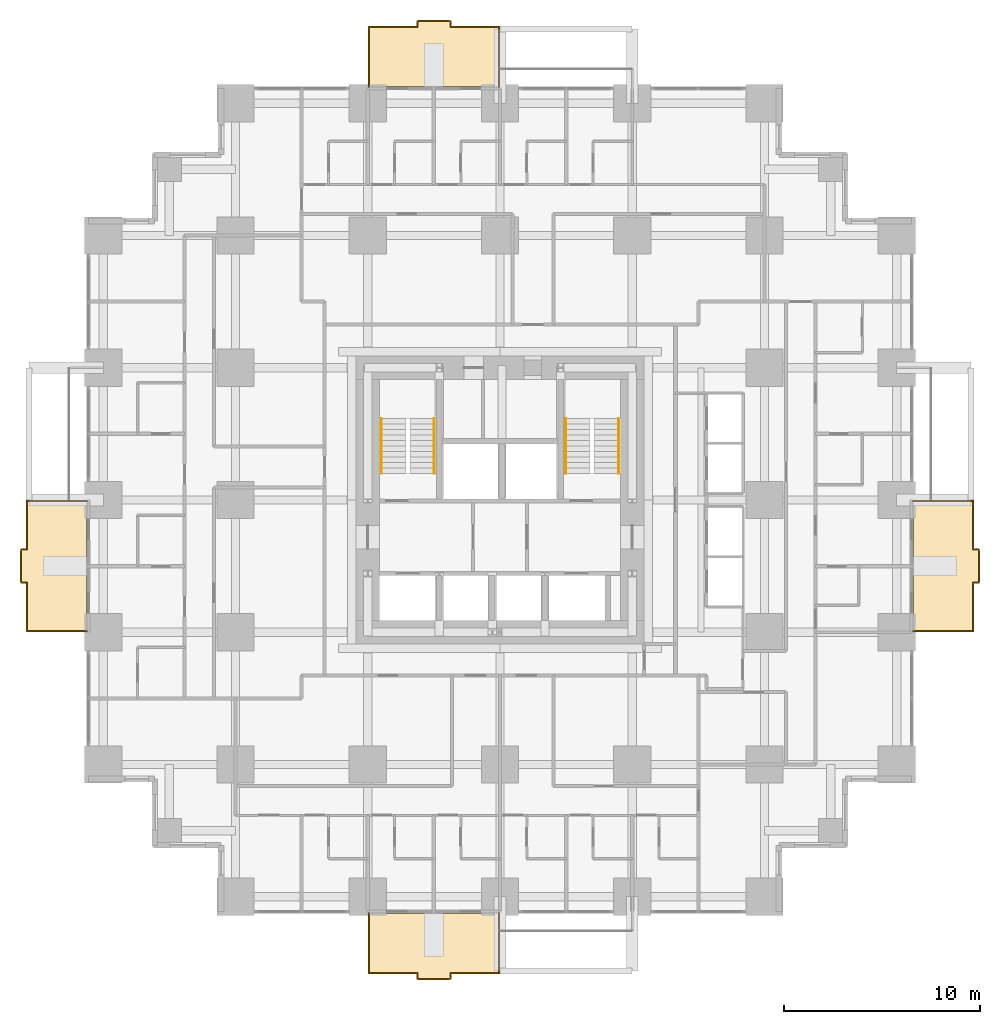
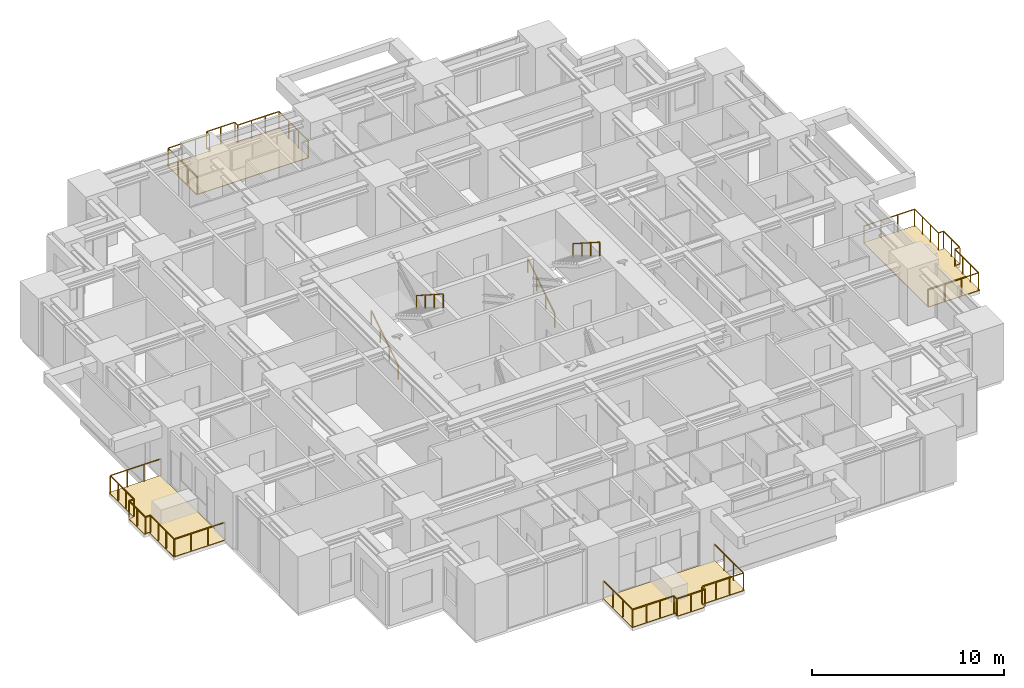
# One storey, part 14 of 14: 8 railings, 4 coverings.
"""IFC4 building model written with IfcOpenShell, lengths in metres."""

from ifc_helpers import new_model, si_unit, direction, frame, origin, origin_2d, place, context, subcontext, project, spatial, polyline, rectangle, outline, extrude, material, layer, layer_set, type_object, element, save


model = new_model("IFC4")

# Units and contexts
model_context = context("Model", 3, precision=1e-05, world=origin(), true_north=direction((0.0, 1.0)))
body_context = subcontext(model_context, "Body", "Model", "MODEL_VIEW")
ifc_project = project(units=[si_unit("LENGTHUNIT", "METRE"), si_unit("AREAUNIT", "SQUARE_METRE"), si_unit("VOLUMEUNIT", "CUBIC_METRE"), si_unit("PLANEANGLEUNIT", "RADIAN"), si_unit("MASSUNIT", "GRAM", prefix="KILO")], contexts=[model_context])

# Site, building, storey
site_placement = place(None, origin())
site = spatial("IfcSite", under=ifc_project, at=site_placement, CompositionType="ELEMENT")
building_placement = place(site_placement, origin())
building = spatial("IfcBuilding", under=site, at=building_placement, Name="Nyansa Garden Tower", CompositionType="ELEMENT")
storey_placement = place(building_placement, frame((0.0, 0.0, 39.60009765625)))
storey = spatial("IfcBuildingStorey", under=building, at=storey_placement, Name="L10", CompositionType="ELEMENT", Elevation=39.60009765625)

# Coverings
ifc_material_1 = material(Name="Hardwood decking on pedestals", Category="wood")
ifc_layer = layer(ifc_material_1, 0.0400390625)
ifc_layer_set = layer_set([ifc_layer], Name="Balcony decking DK40")
covering_type = type_object("IfcCoveringType", Name="Balcony decking DK40", PredefinedType="FLOORING", material=ifc_layer_set)
covering_1_placement = place(storey_placement, frame((0.0, 0.0, -0.0400390625)))
element("IfcCovering", 1, at=covering_1_placement, inside=storey, type_object=covering_type, Name="Balcony decking L10", PredefinedType="FLOORING", context=body_context, shape_type="SweptSolid", body=[
    extrude(outline(polyline([(13.5, -0.85009765625), (20.25, -0.85009765625), (20.25, -3.949951171875), (17.675048828125, -3.949951171875), (17.675048828125, -4.25), (16.074951171875, -4.25), (16.074951171875, -3.949951171875), (13.5, -3.949951171875), (13.5, -0.85009765625)])), origin(), (0.0, 0.0, 1.0), 0.0400390625),
])
covering_2_placement = place(storey_placement, frame((0.0, 0.0, -0.0400390625)))
element("IfcCovering", 2, at=covering_2_placement, inside=storey, type_object=covering_type, Name="Balcony decking L10", PredefinedType="FLOORING", context=body_context, shape_type="SweptSolid", body=[
    extrude(outline(polyline([(41.35009765625, 13.5), (41.35009765625, 20.25), (44.449951171875, 20.25), (44.449951171875, 17.675048828125), (44.75, 17.675048828125), (44.75, 16.074951171875), (44.449951171875, 16.074951171875), (44.449951171875, 13.5), (41.35009765625, 13.5)])), origin(), (0.0, 0.0, 1.0), 0.0400390625),
])
covering_3_placement = place(storey_placement, frame((0.0, 0.0, -0.0400390625)))
element("IfcCovering", 3, at=covering_3_placement, inside=storey, type_object=covering_type, Name="Balcony decking L10", PredefinedType="FLOORING", context=body_context, shape_type="SweptSolid", body=[
    extrude(outline(polyline([(13.5, 41.35009765625), (20.25, 41.35009765625), (20.25, 44.449951171875), (17.675048828125, 44.449951171875), (17.675048828125, 44.75), (16.074951171875, 44.75), (16.074951171875, 44.449951171875), (13.5, 44.449951171875), (13.5, 41.35009765625)])), origin(), (0.0, 0.0, 1.0), 0.0400390625),
])
covering_4_placement = place(storey_placement, frame((0.0, 0.0, -0.0400390625)))
element("IfcCovering", 4, at=covering_4_placement, inside=storey, type_object=covering_type, Name="Balcony decking L10", PredefinedType="FLOORING", context=body_context, shape_type="SweptSolid", body=[
    extrude(outline(polyline([(-0.85009765625, 13.5), (-0.85009765625, 20.25), (-3.949951171875, 20.25), (-3.949951171875, 17.675048828125), (-4.25, 17.675048828125), (-4.25, 16.074951171875), (-3.949951171875, 16.074951171875), (-3.949951171875, 13.5), (-0.85009765625, 13.5)])), origin(), (0.0, 0.0, 1.0), 0.0400390625),
])

# Railings
ifc_material_2 = material(Name="Black powder-coated steel balusters, laminated glass infill", Category="steel")
railing_type_1 = type_object("IfcRailingType", Name="Balcony guard G1", PredefinedType="GUARDRAIL", material=ifc_material_2)
railing_1_placement = place(storey_placement, frame((13.550048828125, -0.85009765625, 0.0)))
element("IfcRailing", 5, at=railing_1_placement, inside=storey, type_object=railing_type_1, Name="Balcony guard L10", PredefinedType="GUARDRAIL", context=body_context, shape_type="SweptSolid", body=[
    extrude(rectangle(XDim=0.048095703125, YDim=0.048095703125, at=origin_2d()), frame((0.0, 0.0, 1.076171875), z_axis=(0.0, -1.0, 0.0), x_axis=(1.0, 0.0, 0.0)), (0.0, 0.0, 1.0), 3.0498046875),
    extrude(rectangle(XDim=0.048095703125, YDim=0.048095703125, at=origin_2d()), frame((0.0, -3.0498046875, 1.076171875), z_axis=(1.0, 0.0, 0.0), x_axis=(0.0, 1.0, 0.0)), (0.0, 0.0, 1.0), 2.474853515625),
    extrude(rectangle(XDim=0.048095703125, YDim=0.048095703125, at=origin_2d()), frame((2.474853515625, -3.0498046875, 1.076171875), z_axis=(0.0, -1.0, 0.0), x_axis=(1.0, 0.0, 0.0)), (0.0, 0.0, 1.0), 0.300048828125),
    extrude(rectangle(XDim=0.048095703125, YDim=0.048095703125, at=origin_2d()), frame((2.474853515625, -3.349853515625, 1.076171875), z_axis=(1.0, 0.0, 0.0), x_axis=(0.0, 1.0, 0.0)), (0.0, 0.0, 1.0), 1.7001953125),
    extrude(rectangle(XDim=0.048095703125, YDim=0.048095703125, at=origin_2d()), frame((4.175048828125, -3.349853515625, 1.076171875), z_axis=(0.0, 1.0, 0.0), x_axis=(-1.0, 0.0, 0.0)), (0.0, 0.0, 1.0), 0.300048828125),
    extrude(rectangle(XDim=0.048095703125, YDim=0.048095703125, at=origin_2d()), frame((4.175048828125, -3.0498046875, 1.076171875), z_axis=(1.0, 0.0, 0.0), x_axis=(0.0, 1.0, 0.0)), (0.0, 0.0, 1.0), 2.474853515625),
    extrude(rectangle(XDim=0.048095703125, YDim=0.048095703125, at=origin_2d()), frame((6.64990234375, -3.0498046875, 1.076171875), z_axis=(0.0, 1.0, 0.0), x_axis=(-1.0, 0.0, 0.0)), (0.0, 0.0, 1.0), 3.0498046875),
    extrude(rectangle(XDim=0.0419921875, YDim=0.0419921875, at=origin_2d()), origin(), (0.0, 0.0, 1.0), 1.052001953125),
    extrude(rectangle(XDim=0.0419921875, YDim=0.0419921875, at=origin_2d()), frame((0.0, -1.0166015625, 0.0)), (0.0, 0.0, 1.0), 1.052001953125),
    extrude(rectangle(XDim=0.0419921875, YDim=0.0419921875, at=origin_2d()), frame((0.0, -2.033203125, 0.0)), (0.0, 0.0, 1.0), 1.052001953125),
    extrude(rectangle(XDim=0.0419921875, YDim=0.0419921875, at=origin_2d()), frame((0.0, -3.0498046875, 0.0)), (0.0, 0.0, 1.0), 1.052001953125),
    extrude(rectangle(XDim=0.0419921875, YDim=0.0419921875, at=origin_2d()), frame((0.824951171875, -3.0498046875, 0.0)), (0.0, 0.0, 1.0), 1.052001953125),
    extrude(rectangle(XDim=0.0419921875, YDim=0.0419921875, at=origin_2d()), frame((1.64990234375, -3.0498046875, 0.0)), (0.0, 0.0, 1.0), 1.052001953125),
    extrude(rectangle(XDim=0.0419921875, YDim=0.0419921875, at=origin_2d()), frame((2.474853515625, -3.0498046875, 0.0)), (0.0, 0.0, 1.0), 1.052001953125),
    extrude(rectangle(XDim=0.0419921875, YDim=0.0419921875, at=origin_2d()), frame((2.474853515625, -3.349853515625, 0.0)), (0.0, 0.0, 1.0), 1.052001953125),
    extrude(rectangle(XDim=0.0419921875, YDim=0.0419921875, at=origin_2d()), frame((3.324951171875, -3.349853515625, 0.0)), (0.0, 0.0, 1.0), 1.052001953125),
    extrude(rectangle(XDim=0.0419921875, YDim=0.0419921875, at=origin_2d()), frame((4.175048828125, -3.349853515625, 0.0)), (0.0, 0.0, 1.0), 1.052001953125),
    extrude(rectangle(XDim=0.0419921875, YDim=0.0419921875, at=origin_2d()), frame((4.175048828125, -3.0498046875, 0.0)), (0.0, 0.0, 1.0), 1.052001953125),
    extrude(rectangle(XDim=0.0419921875, YDim=0.0419921875, at=origin_2d()), frame((5.0, -3.0498046875, 0.0)), (0.0, 0.0, 1.0), 1.052001953125),
    extrude(rectangle(XDim=0.0419921875, YDim=0.0419921875, at=origin_2d()), frame((5.824951171875, -3.0498046875, 0.0)), (0.0, 0.0, 1.0), 1.052001953125),
    extrude(rectangle(XDim=0.0419921875, YDim=0.0419921875, at=origin_2d()), frame((6.64990234375, -3.0498046875, 0.0)), (0.0, 0.0, 1.0), 1.052001953125),
    extrude(rectangle(XDim=0.0419921875, YDim=0.0419921875, at=origin_2d()), frame((6.64990234375, -2.033203125, 0.0)), (0.0, 0.0, 1.0), 1.052001953125),
    extrude(rectangle(XDim=0.0419921875, YDim=0.0419921875, at=origin_2d()), frame((6.64990234375, -1.0166015625, 0.0)), (0.0, 0.0, 1.0), 1.052001953125),
    extrude(rectangle(XDim=0.0419921875, YDim=0.0419921875, at=origin_2d()), frame((6.64990234375, 0.0, 0.0)), (0.0, 0.0, 1.0), 1.052001953125),
])
railing_2_placement = place(storey_placement, frame((41.35009765625, 13.550048828125, 0.0)))
element("IfcRailing", 6, at=railing_2_placement, inside=storey, type_object=railing_type_1, Name="Balcony guard L10", PredefinedType="GUARDRAIL", context=body_context, shape_type="SweptSolid", body=[
    extrude(rectangle(XDim=0.048095703125, YDim=0.048095703125, at=origin_2d()), frame((0.0, 0.0, 1.076171875), z_axis=(1.0, 0.0, 0.0), x_axis=(0.0, 1.0, 0.0)), (0.0, 0.0, 1.0), 3.0498046875),
    extrude(rectangle(XDim=0.048095703125, YDim=0.048095703125, at=origin_2d()), frame((3.0498046875, 0.0, 1.076171875), z_axis=(0.0, 1.0, 0.0), x_axis=(-1.0, 0.0, 0.0)), (0.0, 0.0, 1.0), 2.474853515625),
    extrude(rectangle(XDim=0.048095703125, YDim=0.048095703125, at=origin_2d()), frame((3.0498046875, 2.474853515625, 1.076171875), z_axis=(1.0, 0.0, 0.0), x_axis=(0.0, 1.0, 0.0)), (0.0, 0.0, 1.0), 0.300048828125),
    extrude(rectangle(XDim=0.048095703125, YDim=0.048095703125, at=origin_2d()), frame((3.349853515625, 2.474853515625, 1.076171875), z_axis=(0.0, 1.0, 0.0), x_axis=(-1.0, 0.0, 0.0)), (0.0, 0.0, 1.0), 1.7001953125),
    extrude(rectangle(XDim=0.048095703125, YDim=0.048095703125, at=origin_2d()), frame((3.349853515625, 4.175048828125, 1.076171875), z_axis=(-1.0, 0.0, 0.0), x_axis=(0.0, -1.0, 0.0)), (0.0, 0.0, 1.0), 0.300048828125),
    extrude(rectangle(XDim=0.048095703125, YDim=0.048095703125, at=origin_2d()), frame((3.0498046875, 4.175048828125, 1.076171875), z_axis=(0.0, 1.0, 0.0), x_axis=(-1.0, 0.0, 0.0)), (0.0, 0.0, 1.0), 2.474853515625),
    extrude(rectangle(XDim=0.048095703125, YDim=0.048095703125, at=origin_2d()), frame((3.0498046875, 6.64990234375, 1.076171875), z_axis=(-1.0, 0.0, 0.0), x_axis=(0.0, -1.0, 0.0)), (0.0, 0.0, 1.0), 3.0498046875),
    extrude(rectangle(XDim=0.0419921875, YDim=0.0419921875, at=origin_2d()), origin(), (0.0, 0.0, 1.0), 1.052001953125),
    extrude(rectangle(XDim=0.0419921875, YDim=0.0419921875, at=origin_2d()), frame((1.0166015625, 0.0, 0.0)), (0.0, 0.0, 1.0), 1.052001953125),
    extrude(rectangle(XDim=0.0419921875, YDim=0.0419921875, at=origin_2d()), frame((2.033203125, 0.0, 0.0)), (0.0, 0.0, 1.0), 1.052001953125),
    extrude(rectangle(XDim=0.0419921875, YDim=0.0419921875, at=origin_2d()), frame((3.0498046875, 0.0, 0.0)), (0.0, 0.0, 1.0), 1.052001953125),
    extrude(rectangle(XDim=0.0419921875, YDim=0.0419921875, at=origin_2d()), frame((3.0498046875, 0.824951171875, 0.0)), (0.0, 0.0, 1.0), 1.052001953125),
    extrude(rectangle(XDim=0.0419921875, YDim=0.0419921875, at=origin_2d()), frame((3.0498046875, 1.64990234375, 0.0)), (0.0, 0.0, 1.0), 1.052001953125),
    extrude(rectangle(XDim=0.0419921875, YDim=0.0419921875, at=origin_2d()), frame((3.0498046875, 2.474853515625, 0.0)), (0.0, 0.0, 1.0), 1.052001953125),
    extrude(rectangle(XDim=0.0419921875, YDim=0.0419921875, at=origin_2d()), frame((3.349853515625, 2.474853515625, 0.0)), (0.0, 0.0, 1.0), 1.052001953125),
    extrude(rectangle(XDim=0.0419921875, YDim=0.0419921875, at=origin_2d()), frame((3.349853515625, 3.324951171875, 0.0)), (0.0, 0.0, 1.0), 1.052001953125),
    extrude(rectangle(XDim=0.0419921875, YDim=0.0419921875, at=origin_2d()), frame((3.349853515625, 4.175048828125, 0.0)), (0.0, 0.0, 1.0), 1.052001953125),
    extrude(rectangle(XDim=0.0419921875, YDim=0.0419921875, at=origin_2d()), frame((3.0498046875, 4.175048828125, 0.0)), (0.0, 0.0, 1.0), 1.052001953125),
    extrude(rectangle(XDim=0.0419921875, YDim=0.0419921875, at=origin_2d()), frame((3.0498046875, 5.0, 0.0)), (0.0, 0.0, 1.0), 1.052001953125),
    extrude(rectangle(XDim=0.0419921875, YDim=0.0419921875, at=origin_2d()), frame((3.0498046875, 5.824951171875, 0.0)), (0.0, 0.0, 1.0), 1.052001953125),
    extrude(rectangle(XDim=0.0419921875, YDim=0.0419921875, at=origin_2d()), frame((3.0498046875, 6.64990234375, 0.0)), (0.0, 0.0, 1.0), 1.052001953125),
    extrude(rectangle(XDim=0.0419921875, YDim=0.0419921875, at=origin_2d()), frame((2.033203125, 6.64990234375, 0.0)), (0.0, 0.0, 1.0), 1.052001953125),
    extrude(rectangle(XDim=0.0419921875, YDim=0.0419921875, at=origin_2d()), frame((1.0166015625, 6.64990234375, 0.0)), (0.0, 0.0, 1.0), 1.052001953125),
    extrude(rectangle(XDim=0.0419921875, YDim=0.0419921875, at=origin_2d()), frame((0.0, 6.64990234375, 0.0)), (0.0, 0.0, 1.0), 1.052001953125),
])
railing_3_placement = place(storey_placement, frame((13.550048828125, 41.35009765625, 0.0)))
element("IfcRailing", 7, at=railing_3_placement, inside=storey, type_object=railing_type_1, Name="Balcony guard L10", PredefinedType="GUARDRAIL", context=body_context, shape_type="SweptSolid", body=[
    extrude(rectangle(XDim=0.048095703125, YDim=0.048095703125, at=origin_2d()), frame((0.0, 0.0, 1.076171875), z_axis=(0.0, 1.0, 0.0), x_axis=(-1.0, 0.0, 0.0)), (0.0, 0.0, 1.0), 3.0498046875),
    extrude(rectangle(XDim=0.048095703125, YDim=0.048095703125, at=origin_2d()), frame((0.0, 3.0498046875, 1.076171875), z_axis=(1.0, 0.0, 0.0), x_axis=(0.0, 1.0, 0.0)), (0.0, 0.0, 1.0), 2.474853515625),
    extrude(rectangle(XDim=0.048095703125, YDim=0.048095703125, at=origin_2d()), frame((2.474853515625, 3.0498046875, 1.076171875), z_axis=(0.0, 1.0, 0.0), x_axis=(-1.0, 0.0, 0.0)), (0.0, 0.0, 1.0), 0.300048828125),
    extrude(rectangle(XDim=0.048095703125, YDim=0.048095703125, at=origin_2d()), frame((2.474853515625, 3.349853515625, 1.076171875), z_axis=(1.0, 0.0, 0.0), x_axis=(0.0, 1.0, 0.0)), (0.0, 0.0, 1.0), 1.7001953125),
    extrude(rectangle(XDim=0.048095703125, YDim=0.048095703125, at=origin_2d()), frame((4.175048828125, 3.349853515625, 1.076171875), z_axis=(0.0, -1.0, 0.0), x_axis=(1.0, 0.0, 0.0)), (0.0, 0.0, 1.0), 0.300048828125),
    extrude(rectangle(XDim=0.048095703125, YDim=0.048095703125, at=origin_2d()), frame((4.175048828125, 3.0498046875, 1.076171875), z_axis=(1.0, 0.0, 0.0), x_axis=(0.0, 1.0, 0.0)), (0.0, 0.0, 1.0), 2.474853515625),
    extrude(rectangle(XDim=0.048095703125, YDim=0.048095703125, at=origin_2d()), frame((6.64990234375, 3.0498046875, 1.076171875), z_axis=(0.0, -1.0, 0.0), x_axis=(1.0, 0.0, 0.0)), (0.0, 0.0, 1.0), 3.0498046875),
    extrude(rectangle(XDim=0.0419921875, YDim=0.0419921875, at=origin_2d()), origin(), (0.0, 0.0, 1.0), 1.052001953125),
    extrude(rectangle(XDim=0.0419921875, YDim=0.0419921875, at=origin_2d()), frame((0.0, 1.0166015625, 0.0)), (0.0, 0.0, 1.0), 1.052001953125),
    extrude(rectangle(XDim=0.0419921875, YDim=0.0419921875, at=origin_2d()), frame((0.0, 2.033203125, 0.0)), (0.0, 0.0, 1.0), 1.052001953125),
    extrude(rectangle(XDim=0.0419921875, YDim=0.0419921875, at=origin_2d()), frame((0.0, 3.0498046875, 0.0)), (0.0, 0.0, 1.0), 1.052001953125),
    extrude(rectangle(XDim=0.0419921875, YDim=0.0419921875, at=origin_2d()), frame((0.824951171875, 3.0498046875, 0.0)), (0.0, 0.0, 1.0), 1.052001953125),
    extrude(rectangle(XDim=0.0419921875, YDim=0.0419921875, at=origin_2d()), frame((1.64990234375, 3.0498046875, 0.0)), (0.0, 0.0, 1.0), 1.052001953125),
    extrude(rectangle(XDim=0.0419921875, YDim=0.0419921875, at=origin_2d()), frame((2.474853515625, 3.0498046875, 0.0)), (0.0, 0.0, 1.0), 1.052001953125),
    extrude(rectangle(XDim=0.0419921875, YDim=0.0419921875, at=origin_2d()), frame((2.474853515625, 3.349853515625, 0.0)), (0.0, 0.0, 1.0), 1.052001953125),
    extrude(rectangle(XDim=0.0419921875, YDim=0.0419921875, at=origin_2d()), frame((3.324951171875, 3.349853515625, 0.0)), (0.0, 0.0, 1.0), 1.052001953125),
    extrude(rectangle(XDim=0.0419921875, YDim=0.0419921875, at=origin_2d()), frame((4.175048828125, 3.349853515625, 0.0)), (0.0, 0.0, 1.0), 1.052001953125),
    extrude(rectangle(XDim=0.0419921875, YDim=0.0419921875, at=origin_2d()), frame((4.175048828125, 3.0498046875, 0.0)), (0.0, 0.0, 1.0), 1.052001953125),
    extrude(rectangle(XDim=0.0419921875, YDim=0.0419921875, at=origin_2d()), frame((5.0, 3.0498046875, 0.0)), (0.0, 0.0, 1.0), 1.052001953125),
    extrude(rectangle(XDim=0.0419921875, YDim=0.0419921875, at=origin_2d()), frame((5.824951171875, 3.0498046875, 0.0)), (0.0, 0.0, 1.0), 1.052001953125),
    extrude(rectangle(XDim=0.0419921875, YDim=0.0419921875, at=origin_2d()), frame((6.64990234375, 3.0498046875, 0.0)), (0.0, 0.0, 1.0), 1.052001953125),
    extrude(rectangle(XDim=0.0419921875, YDim=0.0419921875, at=origin_2d()), frame((6.64990234375, 2.033203125, 0.0)), (0.0, 0.0, 1.0), 1.052001953125),
    extrude(rectangle(XDim=0.0419921875, YDim=0.0419921875, at=origin_2d()), frame((6.64990234375, 1.0166015625, 0.0)), (0.0, 0.0, 1.0), 1.052001953125),
    extrude(rectangle(XDim=0.0419921875, YDim=0.0419921875, at=origin_2d()), frame((6.64990234375, 0.0, 0.0)), (0.0, 0.0, 1.0), 1.052001953125),
])
railing_4_placement = place(storey_placement, frame((-0.85009765625, 13.550048828125, 0.0)))
element("IfcRailing", 8, at=railing_4_placement, inside=storey, type_object=railing_type_1, Name="Balcony guard L10", PredefinedType="GUARDRAIL", context=body_context, shape_type="SweptSolid", body=[
    extrude(rectangle(XDim=0.048095703125, YDim=0.048095703125, at=origin_2d()), frame((0.0, 0.0, 1.076171875), z_axis=(-1.0, 0.0, 0.0), x_axis=(0.0, -1.0, 0.0)), (0.0, 0.0, 1.0), 3.0498046875),
    extrude(rectangle(XDim=0.048095703125, YDim=0.048095703125, at=origin_2d()), frame((-3.0498046875, 0.0, 1.076171875), z_axis=(0.0, 1.0, 0.0), x_axis=(-1.0, 0.0, 0.0)), (0.0, 0.0, 1.0), 2.474853515625),
    extrude(rectangle(XDim=0.048095703125, YDim=0.048095703125, at=origin_2d()), frame((-3.0498046875, 2.474853515625, 1.076171875), z_axis=(-1.0, 0.0, 0.0), x_axis=(0.0, -1.0, 0.0)), (0.0, 0.0, 1.0), 0.300048828125),
    extrude(rectangle(XDim=0.048095703125, YDim=0.048095703125, at=origin_2d()), frame((-3.349853515625, 2.474853515625, 1.076171875), z_axis=(0.0, 1.0, 0.0), x_axis=(-1.0, 0.0, 0.0)), (0.0, 0.0, 1.0), 1.7001953125),
    extrude(rectangle(XDim=0.048095703125, YDim=0.048095703125, at=origin_2d()), frame((-3.349853515625, 4.175048828125, 1.076171875), z_axis=(1.0, 0.0, 0.0), x_axis=(0.0, 1.0, 0.0)), (0.0, 0.0, 1.0), 0.300048828125),
    extrude(rectangle(XDim=0.048095703125, YDim=0.048095703125, at=origin_2d()), frame((-3.0498046875, 4.175048828125, 1.076171875), z_axis=(0.0, 1.0, 0.0), x_axis=(-1.0, 0.0, 0.0)), (0.0, 0.0, 1.0), 2.474853515625),
    extrude(rectangle(XDim=0.048095703125, YDim=0.048095703125, at=origin_2d()), frame((-3.0498046875, 6.64990234375, 1.076171875), z_axis=(1.0, 0.0, 0.0), x_axis=(0.0, 1.0, 0.0)), (0.0, 0.0, 1.0), 3.0498046875),
    extrude(rectangle(XDim=0.0419921875, YDim=0.0419921875, at=origin_2d()), origin(), (0.0, 0.0, 1.0), 1.052001953125),
    extrude(rectangle(XDim=0.0419921875, YDim=0.0419921875, at=origin_2d()), frame((-1.0166015625, 0.0, 0.0)), (0.0, 0.0, 1.0), 1.052001953125),
    extrude(rectangle(XDim=0.0419921875, YDim=0.0419921875, at=origin_2d()), frame((-2.033203125, 0.0, 0.0)), (0.0, 0.0, 1.0), 1.052001953125),
    extrude(rectangle(XDim=0.0419921875, YDim=0.0419921875, at=origin_2d()), frame((-3.0498046875, 0.0, 0.0)), (0.0, 0.0, 1.0), 1.052001953125),
    extrude(rectangle(XDim=0.0419921875, YDim=0.0419921875, at=origin_2d()), frame((-3.0498046875, 0.824951171875, 0.0)), (0.0, 0.0, 1.0), 1.052001953125),
    extrude(rectangle(XDim=0.0419921875, YDim=0.0419921875, at=origin_2d()), frame((-3.0498046875, 1.64990234375, 0.0)), (0.0, 0.0, 1.0), 1.052001953125),
    extrude(rectangle(XDim=0.0419921875, YDim=0.0419921875, at=origin_2d()), frame((-3.0498046875, 2.474853515625, 0.0)), (0.0, 0.0, 1.0), 1.052001953125),
    extrude(rectangle(XDim=0.0419921875, YDim=0.0419921875, at=origin_2d()), frame((-3.349853515625, 2.474853515625, 0.0)), (0.0, 0.0, 1.0), 1.052001953125),
    extrude(rectangle(XDim=0.0419921875, YDim=0.0419921875, at=origin_2d()), frame((-3.349853515625, 3.324951171875, 0.0)), (0.0, 0.0, 1.0), 1.052001953125),
    extrude(rectangle(XDim=0.0419921875, YDim=0.0419921875, at=origin_2d()), frame((-3.349853515625, 4.175048828125, 0.0)), (0.0, 0.0, 1.0), 1.052001953125),
    extrude(rectangle(XDim=0.0419921875, YDim=0.0419921875, at=origin_2d()), frame((-3.0498046875, 4.175048828125, 0.0)), (0.0, 0.0, 1.0), 1.052001953125),
    extrude(rectangle(XDim=0.0419921875, YDim=0.0419921875, at=origin_2d()), frame((-3.0498046875, 5.0, 0.0)), (0.0, 0.0, 1.0), 1.052001953125),
    extrude(rectangle(XDim=0.0419921875, YDim=0.0419921875, at=origin_2d()), frame((-3.0498046875, 5.824951171875, 0.0)), (0.0, 0.0, 1.0), 1.052001953125),
    extrude(rectangle(XDim=0.0419921875, YDim=0.0419921875, at=origin_2d()), frame((-3.0498046875, 6.64990234375, 0.0)), (0.0, 0.0, 1.0), 1.052001953125),
    extrude(rectangle(XDim=0.0419921875, YDim=0.0419921875, at=origin_2d()), frame((-2.033203125, 6.64990234375, 0.0)), (0.0, 0.0, 1.0), 1.052001953125),
    extrude(rectangle(XDim=0.0419921875, YDim=0.0419921875, at=origin_2d()), frame((-1.0166015625, 6.64990234375, 0.0)), (0.0, 0.0, 1.0), 1.052001953125),
    extrude(rectangle(XDim=0.0419921875, YDim=0.0419921875, at=origin_2d()), frame((0.0, 6.64990234375, 0.0)), (0.0, 0.0, 1.0), 1.052001953125),
])
ifc_material_3 = material(Name="Black powder-coated steel tube 48 mm", Category="steel")
railing_type_2 = type_object("IfcRailingType", Name="Stair handrail HR1", PredefinedType="HANDRAIL", material=ifc_material_3)
railing_5_placement = place(storey_placement, frame((14.199951171875, 21.60009765625, 0.0)))
element("IfcRailing", 9, at=railing_5_placement, inside=storey, type_object=railing_type_2, Name="Stair S1 handrail L10", PredefinedType="HANDRAIL", context=body_context, shape_type="SweptSolid", body=[
    extrude(rectangle(XDim=0.048095703125, YDim=0.048095703125, at=origin_2d()), frame((0.0, 0.0, 0.8759765625), z_axis=(0.0, 0.841188008214, 0.540742762169), x_axis=(-1.0, 0.0, 0.0)), (0.0, 0.0, 1.0), 3.328369140625),
    extrude(rectangle(XDim=0.0419921875, YDim=0.0419921875, at=origin_2d()), origin(), (0.0, 0.0, 1.0), 0.851806640625),
    extrude(rectangle(XDim=0.0419921875, YDim=0.0419921875, at=origin_2d()), frame((0.0, 0.933349609375, 0.599853515625)), (0.0, 0.0, 1.0), 0.851806640625),
    extrude(rectangle(XDim=0.0419921875, YDim=0.0419921875, at=origin_2d()), frame((0.0, 1.866455078125, 1.199951171875)), (0.0, 0.0, 1.0), 0.851806640625),
    extrude(rectangle(XDim=0.0419921875, YDim=0.0419921875, at=origin_2d()), frame((0.0, 2.7998046875, 1.7998046875)), (0.0, 0.0, 1.0), 0.851806640625),
])
railing_6_placement = place(storey_placement, frame((16.89990234375, 24.39990234375, 1.7998046875)))
element("IfcRailing", 10, at=railing_6_placement, inside=storey, type_object=railing_type_2, Name="Stair S1 handrail L10", PredefinedType="HANDRAIL", context=body_context, shape_type="SweptSolid", body=[
    extrude(rectangle(XDim=0.048095703125, YDim=0.048095703125, at=origin_2d()), frame((0.0, 0.0, 0.8759765625), z_axis=(0.0, -0.841154643086, 0.54079466197), x_axis=(1.0, 0.0, 0.0)), (0.0, 0.0, 1.0), 3.32861328125),
    extrude(rectangle(XDim=0.0419921875, YDim=0.0419921875, at=origin_2d()), origin(), (0.0, 0.0, 1.0), 0.851806640625),
    extrude(rectangle(XDim=0.0419921875, YDim=0.0419921875, at=origin_2d()), frame((0.0, -0.933349609375, 0.60009765625)), (0.0, 0.0, 1.0), 0.851806640625),
    extrude(rectangle(XDim=0.0419921875, YDim=0.0419921875, at=origin_2d()), frame((0.0, -1.866455078125, 1.199951171875)), (0.0, 0.0, 1.0), 0.851806640625),
    extrude(rectangle(XDim=0.0419921875, YDim=0.0419921875, at=origin_2d()), frame((0.0, -2.7998046875, 1.800048828125)), (0.0, 0.0, 1.0), 0.851806640625),
])
railing_7_placement = place(storey_placement, frame((23.60009765625, 21.60009765625, 0.0)))
element("IfcRailing", 11, at=railing_7_placement, inside=storey, type_object=railing_type_2, Name="Stair S2 handrail L10", PredefinedType="HANDRAIL", context=body_context, shape_type="SweptSolid", body=[
    extrude(rectangle(XDim=0.048095703125, YDim=0.048095703125, at=origin_2d()), frame((0.0, 0.0, 0.8759765625), z_axis=(0.0, 0.841188008214, 0.540742762169), x_axis=(-1.0, 0.0, 0.0)), (0.0, 0.0, 1.0), 3.328369140625),
    extrude(rectangle(XDim=0.0419921875, YDim=0.0419921875, at=origin_2d()), origin(), (0.0, 0.0, 1.0), 0.851806640625),
    extrude(rectangle(XDim=0.0419921875, YDim=0.0419921875, at=origin_2d()), frame((0.0, 0.933349609375, 0.599853515625)), (0.0, 0.0, 1.0), 0.851806640625),
    extrude(rectangle(XDim=0.0419921875, YDim=0.0419921875, at=origin_2d()), frame((0.0, 1.866455078125, 1.199951171875)), (0.0, 0.0, 1.0), 0.851806640625),
    extrude(rectangle(XDim=0.0419921875, YDim=0.0419921875, at=origin_2d()), frame((0.0, 2.7998046875, 1.7998046875)), (0.0, 0.0, 1.0), 0.851806640625),
])
railing_8_placement = place(storey_placement, frame((26.300048828125, 24.39990234375, 1.7998046875)))
element("IfcRailing", 12, at=railing_8_placement, inside=storey, type_object=railing_type_2, Name="Stair S2 handrail L10", PredefinedType="HANDRAIL", context=body_context, shape_type="SweptSolid", body=[
    extrude(rectangle(XDim=0.048095703125, YDim=0.048095703125, at=origin_2d()), frame((0.0, 0.0, 0.8759765625), z_axis=(0.0, -0.841154643086, 0.54079466197), x_axis=(1.0, 0.0, 0.0)), (0.0, 0.0, 1.0), 3.32861328125),
    extrude(rectangle(XDim=0.0419921875, YDim=0.0419921875, at=origin_2d()), origin(), (0.0, 0.0, 1.0), 0.851806640625),
    extrude(rectangle(XDim=0.0419921875, YDim=0.0419921875, at=origin_2d()), frame((0.0, -0.933349609375, 0.60009765625)), (0.0, 0.0, 1.0), 0.851806640625),
    extrude(rectangle(XDim=0.0419921875, YDim=0.0419921875, at=origin_2d()), frame((0.0, -1.866455078125, 1.199951171875)), (0.0, 0.0, 1.0), 0.851806640625),
    extrude(rectangle(XDim=0.0419921875, YDim=0.0419921875, at=origin_2d()), frame((0.0, -2.7998046875, 1.800048828125)), (0.0, 0.0, 1.0), 0.851806640625),
])

save(model, "model.ifc")
